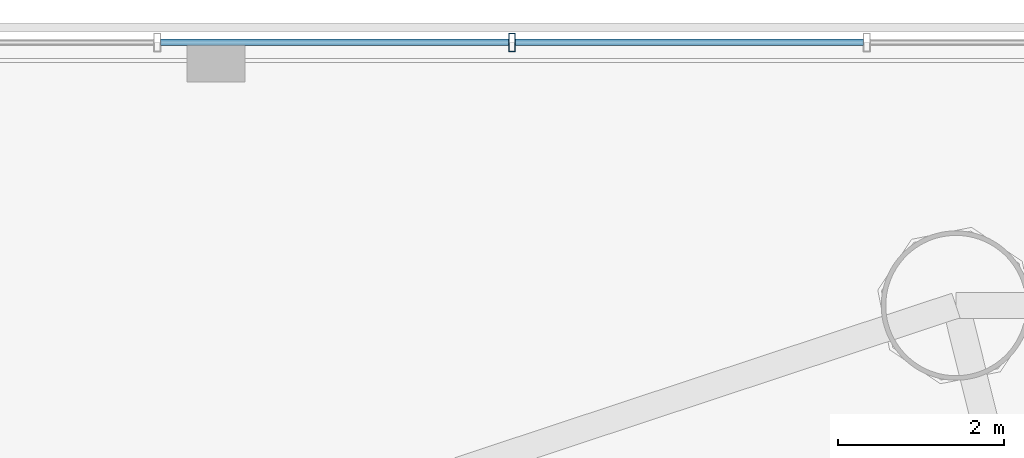
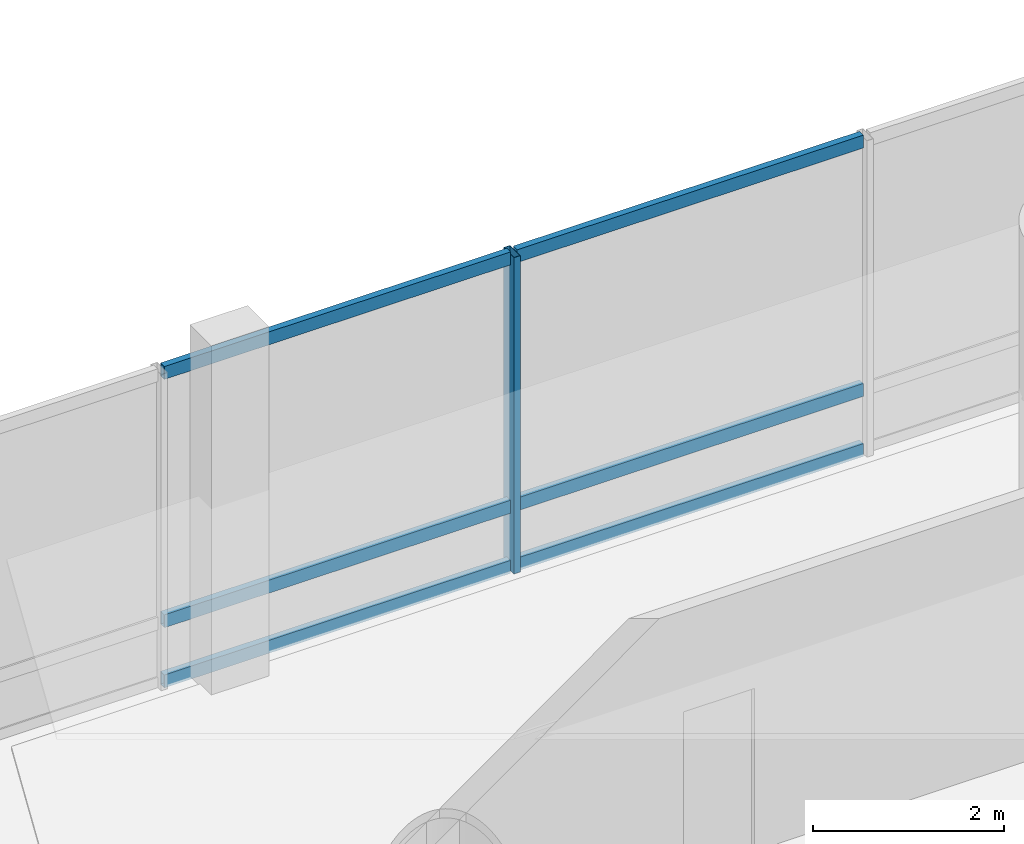
# One storey, part 12 of 36: 7 members, 1 element without a shape of its own.
"""IFC4 building model written with IfcOpenShell, lengths in metres."""

from ifc_helpers import new_model, si_unit, direction, frame, origin, origin_2d, place, context, subcontext, project, spatial, hollow_rectangle, extrude, source, transform, mapped, material, material_profile, profile_set, type_object, element, aggregate, save


model = new_model("IFC4")

# Units and contexts
model_context = context("Model", 3, precision=1e-05, world=origin(), true_north=direction((-0.2419218956, 0.970295726276)))
body_context = subcontext(model_context, "Body", "Model", "MODEL_VIEW")
ifc_project = project(units=[si_unit("LENGTHUNIT", "METRE"), si_unit("AREAUNIT", "SQUARE_METRE"), si_unit("VOLUMEUNIT", "CUBIC_METRE"), si_unit("PLANEANGLEUNIT", "RADIAN"), si_unit("MASSUNIT", "GRAM", prefix="KILO")], contexts=[model_context])

# Site, building, storey
site_placement = place(None, origin())
site = spatial("IfcSite", under=ifc_project, at=site_placement, CompositionType="ELEMENT")
building_placement = place(site_placement, origin())
building = spatial("IfcBuilding", under=site, at=building_placement, Name="Cobrevalo Terracotta Tower", CompositionType="ELEMENT")
storey_placement = place(building_placement, frame((0.0, 0.0, 14.39990234375)))
storey = spatial("IfcBuildingStorey", under=building, at=storey_placement, Name="L03", CompositionType="ELEMENT", Elevation=14.39990234375)

# Curtain wall, members
ifc_material = material(Name="Anodized aluminium", Category="aluminium")
curtain_wall_type = type_object("IfcCurtainWallType", Name="Podium gallery & conservatory curtain wall CW-S2", PredefinedType="NOTDEFINED", material=ifc_material)
curtain_wall_placement = place(storey_placement, origin())
curtain_wall = element("IfcCurtainWall", 1, at=curtain_wall_placement, inside=storey, type_object=curtain_wall_type, Name="L03 curtain wall CW-POD-L03-N", PredefinedType="NOTDEFINED")
ifc_material_profile_1 = material_profile(ifc_material, hollow_rectangle(XDim=0.080078125, YDim=0.1650390625, WallThickness=0.00439453125, at=origin_2d()), Name="CWT 80x165")
ifc_profile_set_1 = profile_set([ifc_material_profile_1], Name="Anodized aluminium")
member_type_1 = type_object("IfcMemberType", Name="Storefront & atrium aluminium transom 80x165", PredefinedType="USERDEFINED", material=ifc_profile_set_1)
shared_shape_1 = source(origin(), body_context, "Body", "SweptSolid", [
    extrude(hollow_rectangle(XDim=0.080078125, YDim=0.1650390625, WallThickness=0.00439453125, at=origin_2d()), origin(), (0.0, 0.0, 1.0), 4.193359375),
])
member_1_placement = place(storey_placement, frame((31.550048828125, 51.39990234375, 0.050048828125), z_axis=(-1.0, 0.0, 0.0), x_axis=(0.0, -1.0, 0.0)))
member_1 = element("IfcMember", 2, at=member_1_placement, type_object=member_type_1, Name="CW-POD-L03-N transom B10-T1", ObjectType="TRANSOM", PredefinedType="USERDEFINED", context=body_context, shape_type="MappedRepresentation", body=[
    mapped(shared_shape_1, transform((0.0, 0.0, 0.0), scale=1.0)),
])
member_2_placement = place(storey_placement, frame((31.550048828125, 51.39990234375, 0.820068359375), z_axis=(-1.0, 0.0, 0.0), x_axis=(0.0, -1.0, 0.0)))
member_2 = element("IfcMember", 3, at=member_2_placement, type_object=member_type_1, Name="CW-POD-L03-N transom B10-T2", ObjectType="TRANSOM", PredefinedType="USERDEFINED", context=body_context, shape_type="MappedRepresentation", body=[
    mapped(shared_shape_1, transform((0.0, 0.0, 0.0), scale=1.0)),
])
member_3_placement = place(storey_placement, frame((31.550048828125, 51.39990234375, 4.0), z_axis=(-1.0, 0.0, 0.0), x_axis=(0.0, -1.0, 0.0)))
member_3 = element("IfcMember", 4, at=member_3_placement, type_object=member_type_1, Name="CW-POD-L03-N transom B10-T3", ObjectType="TRANSOM", PredefinedType="USERDEFINED", context=body_context, shape_type="MappedRepresentation", body=[
    mapped(shared_shape_1, transform((0.0, 0.0, 0.0), scale=1.0)),
])
member_4_placement = place(storey_placement, frame((27.276611328125, 51.39990234375, 0.050048828125), z_axis=(-1.0, 0.0, 0.0), x_axis=(0.0, -1.0, 0.0)))
member_4 = element("IfcMember", 5, at=member_4_placement, type_object=member_type_1, Name="CW-POD-L03-N transom B11-T1", ObjectType="TRANSOM", PredefinedType="USERDEFINED", context=body_context, shape_type="MappedRepresentation", body=[
    mapped(shared_shape_1, transform((0.0, 0.0, 0.0), scale=1.0)),
])
member_5_placement = place(storey_placement, frame((27.276611328125, 51.39990234375, 0.820068359375), z_axis=(-1.0, 0.0, 0.0), x_axis=(0.0, -1.0, 0.0)))
member_5 = element("IfcMember", 6, at=member_5_placement, type_object=member_type_1, Name="CW-POD-L03-N transom B11-T2", ObjectType="TRANSOM", PredefinedType="USERDEFINED", context=body_context, shape_type="MappedRepresentation", body=[
    mapped(shared_shape_1, transform((0.0, 0.0, 0.0), scale=1.0)),
])
member_6_placement = place(storey_placement, frame((27.276611328125, 51.39990234375, 4.0), z_axis=(-1.0, 0.0, 0.0), x_axis=(0.0, -1.0, 0.0)))
member_6 = element("IfcMember", 7, at=member_6_placement, type_object=member_type_1, Name="CW-POD-L03-N transom B11-T3", ObjectType="TRANSOM", PredefinedType="USERDEFINED", context=body_context, shape_type="MappedRepresentation", body=[
    mapped(shared_shape_1, transform((0.0, 0.0, 0.0), scale=1.0)),
])
ifc_material_profile_2 = material_profile(ifc_material, hollow_rectangle(XDim=0.080078125, YDim=0.219970703125, WallThickness=0.0048828125, at=origin_2d()), Name="CWM 80x220")
ifc_profile_set_2 = profile_set([ifc_material_profile_2], Name="Anodized aluminium")
member_type_2 = type_object("IfcMemberType", Name="Storefront & atrium aluminium mullion 80x220", PredefinedType="MULLION", material=ifc_profile_set_2)
shared_shape_2 = source(origin(), body_context, "Body", "SweptSolid", [
    extrude(hollow_rectangle(XDim=0.080078125, YDim=0.219970703125, WallThickness=0.0048828125, at=origin_2d()), origin(), (0.0, 0.0, 1.0), 4.050048828125),
])
member_7_placement = place(storey_placement, frame((27.316650390625, 51.39990234375, 0.0), z_axis=(0.0, 0.0, 1.0), x_axis=(-1.0, 0.0, 0.0)))
member_7 = element("IfcMember", 8, at=member_7_placement, type_object=member_type_2, Name="CW-POD-L03-N vertical mullion 11", PredefinedType="MULLION", context=body_context, shape_type="MappedRepresentation", body=[
    mapped(shared_shape_2, transform((0.0, 0.0, 0.0), scale=1.0)),
])
aggregate(curtain_wall, [member_7, member_1, member_2, member_3, member_4, member_5, member_6])

save(model, "model.ifc")
